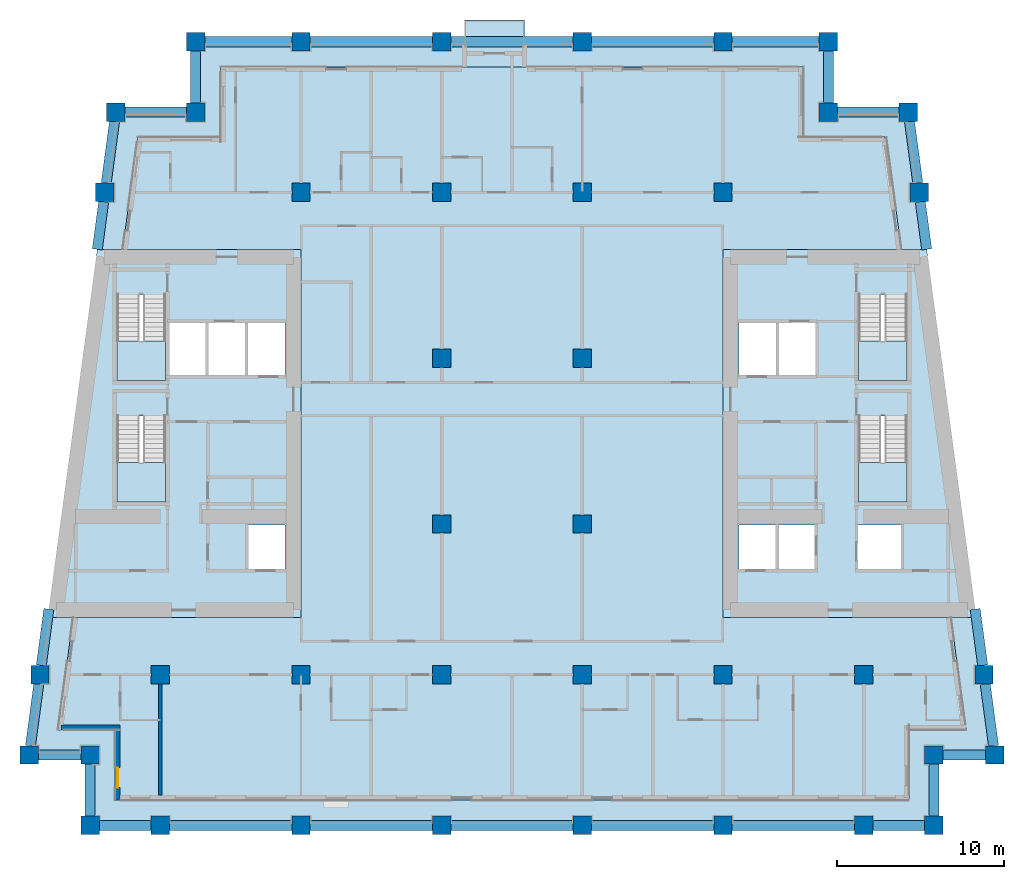
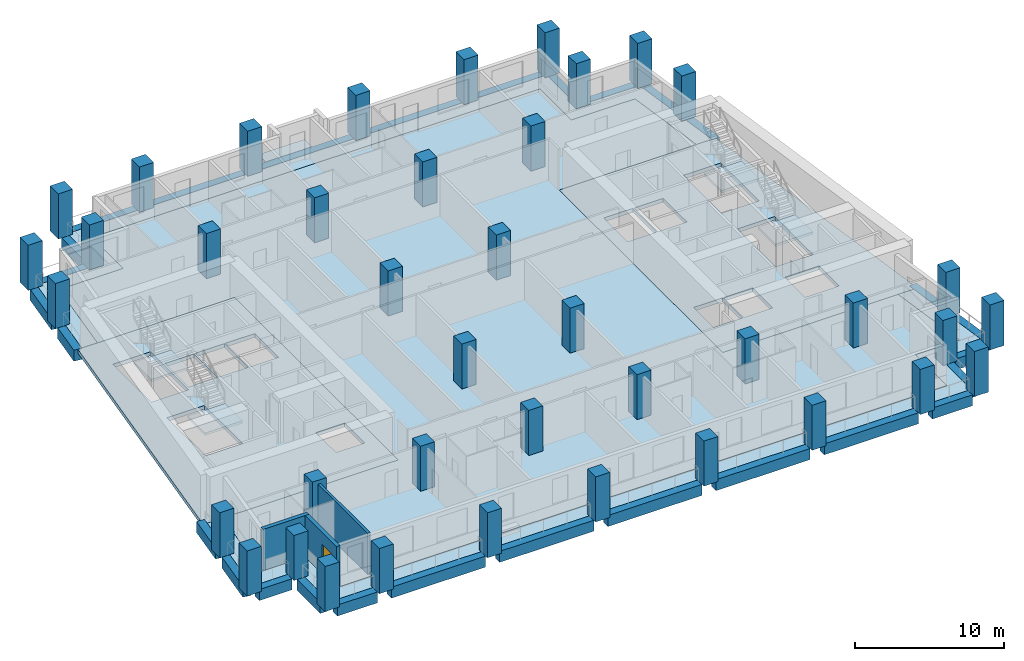
# One storey, part 1 of 12: 40 columns, 28 beams, 10 slabs, 3 walls, 1 door, 1 opening, 4 elements without a shape of their own.
"""IFC4 building model written with IfcOpenShell, lengths in metres."""

from ifc_helpers import new_model, si_unit, direction, frame, frame_2d, origin, origin_2d, place, context, subcontext, project, spatial, polyline, rectangle, outline, extrude, material, layer, layer_set, material_profile, profile_set, type_object, element, fill, aggregate, save


model = new_model("IFC4")

# Units and contexts
model_context = context("Model", 3, precision=1e-05, world=origin(), true_north=direction((0.0, 1.0)))
body_context = subcontext(model_context, "Body", "Model", "MODEL_VIEW")
ifc_project = project(units=[si_unit("LENGTHUNIT", "METRE"), si_unit("AREAUNIT", "SQUARE_METRE"), si_unit("VOLUMEUNIT", "CUBIC_METRE"), si_unit("PLANEANGLEUNIT", "RADIAN"), si_unit("MASSUNIT", "GRAM", prefix="KILO")], contexts=[model_context])

# Site, building, storey
site_placement = place(None, origin())
site = spatial("IfcSite", under=ifc_project, at=site_placement, CompositionType="ELEMENT")
building_placement = place(site_placement, origin())
building = spatial("IfcBuilding", under=site, at=building_placement, Name="Candeia Pilgrim Tower and Theatre", CompositionType="ELEMENT")
storey_placement = place(building_placement, frame((0.0, 0.0, 184.800048828125)))
storey = spatial("IfcBuildingStorey", under=building, at=storey_placement, Name="L44", CompositionType="ELEMENT", Elevation=184.800048828125)

# Columns
ifc_material_1 = material(Name="Concrete C60/75", Category="concrete")
ifc_material_profile_1 = material_profile(ifc_material_1, rectangle(XDim=1.10009765625, YDim=1.10009765625, at=origin_2d()))
ifc_profile_set_1 = profile_set([ifc_material_profile_1], Name="Concrete C60/75")
column_type = type_object("IfcColumnType", Name="RC 1100x1100 C60/75", PredefinedType="COLUMN", material=ifc_profile_set_1)
for number, where, z_axis, x_axis, name in (
    (1, (92.39990234375, 98.0, 0.0), (0.0, 0.0, 1.0), (1.0, 0.0, 0.0), "Column A1"),
    (2, (100.800048828125, 98.0, 0.0), (0.0, 0.0, 1.0), (1.0, 0.0, 0.0), "Column A2"),
    (3, (109.199951171875, 98.0, 0.0), (0.0, 0.0, 1.0), (1.0, 0.0, 0.0), "Column A3"),
    (4, (117.60009765625, 98.0, 0.0), (0.0, 0.0, 1.0), (1.0, 0.0, 0.0), "Column A4"),
    (5, (126.0, 98.0, 0.0), (0.0, 0.0, 1.0), (1.0, 0.0, 0.0), "Column A5"),
    (6, (134.39990234375, 98.0, 0.0), (0.0, 0.0, 1.0), (1.0, 0.0, 0.0), "Column A6"),
    (7, (88.199951171875, 98.0, 0.0), (0.0, 0.0, 1.0), (1.0, 0.0, 0.0), "Column AW"),
    (8, (138.60009765625, 98.0, 0.0), (0.0, 0.0, 1.0), (1.0, 0.0, 0.0), "Column AE"),
    (9, (88.199951171875, 102.199951171875, 0.0), (0.0, 0.0, 1.0), (1.0, 0.0, 0.0), "Column NSW"),
    (10, (138.60009765625, 102.199951171875, 0.0), (0.0, 0.0, 1.0), (1.0, 0.0, 0.0), "Column NSE"),
    (11, (94.5, 140.60009765625, 0.0), (0.0, 0.0, 1.0), (1.0, 0.0, 0.0), "Column NNW"),
    (12, (132.300048828125, 140.60009765625, 0.0), (0.0, 0.0, 1.0), (1.0, 0.0, 0.0), "Column NNE"),
    (13, (84.5654296875, 102.199951171875, 0.0), (0.0, 0.0, 1.0), (1.0, 0.0, 0.0), "Column LSW"),
    (14, (142.234619140625, 102.199951171875, 0.0), (0.0, 0.0, 1.0), (1.0, 0.0, 0.0), "Column LSE"),
    (15, (89.734619140625, 140.60009765625, 0.0), (0.0, 0.0, 1.0), (1.0, 0.0, 0.0), "Column LNW"),
    (16, (137.0654296875, 140.60009765625, 0.0), (0.0, 0.0, 1.0), (1.0, 0.0, 0.0), "Column LNE"),
    (17, (92.39990234375, 107.0, 0.0), (0.0, 0.0, 1.0), (1.0, 0.0, 0.0), "Column B1"),
    (18, (100.800048828125, 107.0, 0.0), (0.0, 0.0, 1.0), (1.0, 0.0, 0.0), "Column B2"),
    (19, (109.199951171875, 107.0, 0.0), (0.0, 0.0, 1.0), (1.0, 0.0, 0.0), "Column B3"),
    (20, (117.60009765625, 107.0, 0.0), (0.0, 0.0, 1.0), (1.0, 0.0, 0.0), "Column B4"),
    (21, (126.0, 107.0, 0.0), (0.0, 0.0, 1.0), (1.0, 0.0, 0.0), "Column B5"),
    (22, (134.39990234375, 107.0, 0.0), (0.0, 0.0, 1.0), (1.0, 0.0, 0.0), "Column B6"),
    (23, (85.21142578125, 107.0, 0.0), (0.0, 0.0, 1.0), (1.0, 0.0, 0.0), "Column BW"),
    (24, (141.58837890625, 107.0, 0.0), (0.0, 0.0, 1.0), (1.0, 0.0, 0.0), "Column BE"),
    (25, (109.199951171875, 116.0, 0.0), (0.0, 0.0, 1.0), (1.0, 0.0, 0.0), "Column C3"),
    (26, (117.60009765625, 116.0, 0.0), (0.0, 0.0, 1.0), (1.0, 0.0, 0.0), "Column C4"),
    (27, (109.199951171875, 125.89990234375, 0.0), (0.0, 0.0, 1.0), (1.0, 0.0, 0.0), "Column D3"),
    (28, (117.60009765625, 125.89990234375, 0.0), (0.0, 0.0, 1.0), (1.0, 0.0, 0.0), "Column D4"),
    (29, (100.800048828125, 135.800048828125, 0.0), (0.0, 0.0, 1.0), (1.0, 0.0, 0.0), "Column E2"),
    (30, (109.199951171875, 135.800048828125, 0.0), (0.0, 0.0, 1.0), (1.0, 0.0, 0.0), "Column E3"),
    (31, (117.60009765625, 135.800048828125, 0.0), (0.0, 0.0, 1.0), (1.0, 0.0, 0.0), "Column E4"),
    (32, (126.0, 135.800048828125, 0.0), (0.0, 0.0, 1.0), (1.0, 0.0, 0.0), "Column E5"),
    (33, (89.08837890625, 135.800048828125, 0.0), (0.0, 0.0, 1.0), (1.0, 0.0, 0.0), "Column EW"),
    (34, (137.71142578125, 135.800048828125, 0.0), (0.0, 0.0, 1.0), (1.0, 0.0, 0.0), "Column EE"),
    (35, (100.800048828125, 144.800048828125, 0.0), (0.0, 0.0, 1.0), (1.0, 0.0, 0.0), "Column F2"),
    (36, (109.199951171875, 144.800048828125, 0.0), (0.0, 0.0, 1.0), (1.0, 0.0, 0.0), "Column F3"),
    (37, (117.60009765625, 144.800048828125, 0.0), (0.0, 0.0, 1.0), (1.0, 0.0, 0.0), "Column F4"),
    (38, (126.0, 144.800048828125, 0.0), (0.0, 0.0, 1.0), (1.0, 0.0, 0.0), "Column F5"),
    (39, (94.5, 144.800048828125, 0.0), (0.0, 0.0, 1.0), (1.0, 0.0, 0.0), "Column FW"),
    (40, (132.300048828125, 144.800048828125, 0.0), (0.0, 0.0, 1.0), (1.0, 0.0, 0.0), "Column FE"),
):
    element("IfcColumn", number, at=place(storey_placement, frame(where, z_axis=z_axis, x_axis=x_axis)), inside=storey, type_object=column_type, Name=name, PredefinedType="COLUMN", context=body_context, shape_type="SweptSolid", body=[
        extrude(rectangle(XDim=1.10009765625, YDim=1.10009765625, at=origin_2d()), origin(), (0.0, 0.0, 1.0), 3.699951171875),
    ])

# Beams
ifc_material_profile_2 = material_profile(ifc_material_1, rectangle(XDim=0.60009765625, YDim=0.89990234375, at=origin_2d()))
ifc_profile_set_2 = profile_set([ifc_material_profile_2], Name="Concrete C60/75")
beam_type = type_object("IfcBeamType", Name="RC 600x900 C60/75", PredefinedType="BEAM", material=ifc_profile_set_2)
beam_1_placement = place(storey_placement, frame((88.75, 98.0, -0.449951171875), z_axis=(1.0, 0.0, 0.0), x_axis=(0.0, 1.0, 0.0)))
element("IfcBeam", 41, at=beam_1_placement, inside=storey, type_object=beam_type, Name="Spandrel beam L44-01", PredefinedType="BEAM", context=body_context, shape_type="SweptSolid", body=[
    extrude(rectangle(XDim=0.60009765625, YDim=0.89990234375, at=origin_2d()), origin(), (0.0, 0.0, 1.0), 3.10009765625),
])
beam_2_placement = place(storey_placement, frame((92.949951171875, 98.0, -0.449951171875), z_axis=(1.0, 0.0, 0.0), x_axis=(0.0, 1.0, 0.0)))
element("IfcBeam", 42, at=beam_2_placement, inside=storey, type_object=beam_type, Name="Spandrel beam L44-02", PredefinedType="BEAM", context=body_context, shape_type="SweptSolid", body=[
    extrude(rectangle(XDim=0.60009765625, YDim=0.89990234375, at=origin_2d()), origin(), (0.0, 0.0, 1.0), 7.300048828125),
])
beam_3_placement = place(storey_placement, frame((101.35009765625, 98.0, -0.449951171875), z_axis=(1.0, 0.0, 0.0), x_axis=(0.0, 1.0, 0.0)))
element("IfcBeam", 43, at=beam_3_placement, inside=storey, type_object=beam_type, Name="Spandrel beam L44-03", PredefinedType="BEAM", context=body_context, shape_type="SweptSolid", body=[
    extrude(rectangle(XDim=0.60009765625, YDim=0.89990234375, at=origin_2d()), origin(), (0.0, 0.0, 1.0), 7.2998046875),
])
for number, where, z_axis, x_axis, name in (
    (44, (109.75, 98.0, -0.449951171875), (1.0, 0.0, 0.0), (0.0, 1.0, 0.0), "Spandrel beam L44-04"),
    (45, (118.14990234375, 98.0, -0.449951171875), (1.0, 0.0, 0.0), (0.0, 1.0, 0.0), "Spandrel beam L44-05"),
    (46, (126.550048828125, 98.0, -0.449951171875), (1.0, 0.0, 0.0), (0.0, 1.0, 0.0), "Spandrel beam L44-06"),
):
    element("IfcBeam", number, at=place(storey_placement, frame(where, z_axis=z_axis, x_axis=x_axis)), inside=storey, type_object=beam_type, Name=name, PredefinedType="BEAM", context=body_context, shape_type="SweptSolid", body=[
        extrude(rectangle(XDim=0.60009765625, YDim=0.89990234375, at=origin_2d()), origin(), (0.0, 0.0, 1.0), 7.300048828125),
    ])
beam_4_placement = place(storey_placement, frame((134.949951171875, 98.0, -0.449951171875), z_axis=(1.0, 0.0, 0.0), x_axis=(0.0, 1.0, 0.0)))
element("IfcBeam", 47, at=beam_4_placement, inside=storey, type_object=beam_type, Name="Spandrel beam L44-07", PredefinedType="BEAM", context=body_context, shape_type="SweptSolid", body=[
    extrude(rectangle(XDim=0.60009765625, YDim=0.89990234375, at=origin_2d()), origin(), (0.0, 0.0, 1.0), 3.10009765625),
])
beam_5_placement = place(storey_placement, frame((138.60009765625, 98.550048828125, -0.449951171875), z_axis=(0.0, 1.0, 0.0), x_axis=(-1.0, 0.0, 0.0)))
element("IfcBeam", 48, at=beam_5_placement, inside=storey, type_object=beam_type, Name="Spandrel beam L44-08", PredefinedType="BEAM", context=body_context, shape_type="SweptSolid", body=[
    extrude(rectangle(XDim=0.60009765625, YDim=0.89990234375, at=origin_2d()), origin(), (0.0, 0.0, 1.0), 3.099853515625),
])
beam_6_placement = place(storey_placement, frame((139.14990234375, 102.199951171875, -0.449951171875), z_axis=(1.0, 0.0, 0.0), x_axis=(0.0, 1.0, 0.0)))
element("IfcBeam", 49, at=beam_6_placement, inside=storey, type_object=beam_type, Name="Spandrel beam L44-09", PredefinedType="BEAM", context=body_context, shape_type="SweptSolid", body=[
    extrude(rectangle(XDim=0.60009765625, YDim=0.89990234375, at=origin_2d()), origin(), (0.0, 0.0, 1.0), 2.53466796875),
])
beam_7_placement = place(storey_placement, frame((142.16064453125, 102.75, -0.449951171875), z_axis=(-0.133405836075, 0.991061492997, 0.0), x_axis=(-0.991061492997, -0.133405836075, 0.0)))
element("IfcBeam", 50, at=beam_7_placement, inside=storey, type_object=beam_type, Name="Spandrel beam L44-10", PredefinedType="BEAM", context=body_context, shape_type="SweptSolid", body=[
    extrude(rectangle(XDim=0.60009765625, YDim=0.89990234375, at=origin_2d()), origin(), (0.0, 0.0, 1.0), 3.7333984375),
])
beam_8_placement = place(storey_placement, frame((141.514404296875, 107.550048828125, -0.449951171875), z_axis=(-0.133432414187, 0.99105791498, 0.0), x_axis=(-0.99105791498, -0.133432414187, 0.0)))
element("IfcBeam", 51, at=beam_8_placement, inside=storey, type_object=beam_type, Name="Spandrel beam L44-11", PredefinedType="BEAM", context=body_context, shape_type="SweptSolid", body=[
    extrude(rectangle(XDim=0.60009765625, YDim=0.89990234375, at=origin_2d()), origin(), (0.0, 0.0, 1.0), 3.390380859375),
])
beam_9_placement = place(storey_placement, frame((138.169189453125, 132.39990234375, -0.449951171875), z_axis=(-0.133370319951, 0.99106627314, 0.0), x_axis=(-0.99106627314, -0.133370319951, 0.0)))
element("IfcBeam", 52, at=beam_9_placement, inside=storey, type_object=beam_type, Name="Spandrel beam L44-12", PredefinedType="BEAM", context=body_context, shape_type="SweptSolid", body=[
    extrude(rectangle(XDim=0.60009765625, YDim=0.89990234375, at=origin_2d()), origin(), (0.0, 0.0, 1.0), 2.875732421875),
])
beam_10_placement = place(storey_placement, frame((137.637451171875, 136.35009765625, -0.449951171875), z_axis=(-0.133405836075, 0.991061492997, 0.0), x_axis=(-0.991061492997, -0.133405836075, 0.0)))
element("IfcBeam", 53, at=beam_10_placement, inside=storey, type_object=beam_type, Name="Spandrel beam L44-13", PredefinedType="BEAM", context=body_context, shape_type="SweptSolid", body=[
    extrude(rectangle(XDim=0.60009765625, YDim=0.89990234375, at=origin_2d()), origin(), (0.0, 0.0, 1.0), 3.7333984375),
])
beam_11_placement = place(storey_placement, frame((136.515380859375, 140.60009765625, -0.449951171875), z_axis=(-1.0, 0.0, 0.0), x_axis=(0.0, -1.0, 0.0)))
element("IfcBeam", 54, at=beam_11_placement, inside=storey, type_object=beam_type, Name="Spandrel beam L44-14", PredefinedType="BEAM", context=body_context, shape_type="SweptSolid", body=[
    extrude(rectangle(XDim=0.60009765625, YDim=0.89990234375, at=origin_2d()), origin(), (0.0, 0.0, 1.0), 3.665283203125),
])
beam_12_placement = place(storey_placement, frame((132.300048828125, 141.14990234375, -0.449951171875), z_axis=(0.0, 1.0, 0.0), x_axis=(-1.0, 0.0, 0.0)))
element("IfcBeam", 55, at=beam_12_placement, inside=storey, type_object=beam_type, Name="Spandrel beam L44-15", PredefinedType="BEAM", context=body_context, shape_type="SweptSolid", body=[
    extrude(rectangle(XDim=0.60009765625, YDim=0.89990234375, at=origin_2d()), origin(), (0.0, 0.0, 1.0), 3.10009765625),
])
beam_13_placement = place(storey_placement, frame((131.75, 144.800048828125, -0.449951171875), z_axis=(-1.0, 0.0, 0.0), x_axis=(0.0, -1.0, 0.0)))
element("IfcBeam", 56, at=beam_13_placement, inside=storey, type_object=beam_type, Name="Spandrel beam L44-16", PredefinedType="BEAM", context=body_context, shape_type="SweptSolid", body=[
    extrude(rectangle(XDim=0.60009765625, YDim=0.89990234375, at=origin_2d()), origin(), (0.0, 0.0, 1.0), 5.199951171875),
])
for number, where, z_axis, x_axis, name in (
    (57, (125.449951171875, 144.800048828125, -0.449951171875), (-1.0, 0.0, 0.0), (0.0, -1.0, 0.0), "Spandrel beam L44-17"),
    (58, (117.050048828125, 144.800048828125, -0.449951171875), (-1.0, 0.0, 0.0), (0.0, -1.0, 0.0), "Spandrel beam L44-18"),
):
    element("IfcBeam", number, at=place(storey_placement, frame(where, z_axis=z_axis, x_axis=x_axis)), inside=storey, type_object=beam_type, Name=name, PredefinedType="BEAM", context=body_context, shape_type="SweptSolid", body=[
        extrude(rectangle(XDim=0.60009765625, YDim=0.89990234375, at=origin_2d()), origin(), (0.0, 0.0, 1.0), 7.300048828125),
    ])
beam_14_placement = place(storey_placement, frame((108.64990234375, 144.800048828125, -0.449951171875), z_axis=(-1.0, 0.0, 0.0), x_axis=(0.0, -1.0, 0.0)))
element("IfcBeam", 59, at=beam_14_placement, inside=storey, type_object=beam_type, Name="Spandrel beam L44-19", PredefinedType="BEAM", context=body_context, shape_type="SweptSolid", body=[
    extrude(rectangle(XDim=0.60009765625, YDim=0.89990234375, at=origin_2d()), origin(), (0.0, 0.0, 1.0), 7.2998046875),
])
beam_15_placement = place(storey_placement, frame((100.25, 144.800048828125, -0.449951171875), z_axis=(-1.0, 0.0, 0.0), x_axis=(0.0, -1.0, 0.0)))
element("IfcBeam", 60, at=beam_15_placement, inside=storey, type_object=beam_type, Name="Spandrel beam L44-20", PredefinedType="BEAM", context=body_context, shape_type="SweptSolid", body=[
    extrude(rectangle(XDim=0.60009765625, YDim=0.89990234375, at=origin_2d()), origin(), (0.0, 0.0, 1.0), 5.199951171875),
])
beam_16_placement = place(storey_placement, frame((94.5, 144.25, -0.449951171875), z_axis=(0.0, -1.0, 0.0), x_axis=(1.0, 0.0, 0.0)))
element("IfcBeam", 61, at=beam_16_placement, inside=storey, type_object=beam_type, Name="Spandrel beam L44-21", PredefinedType="BEAM", context=body_context, shape_type="SweptSolid", body=[
    extrude(rectangle(XDim=0.60009765625, YDim=0.89990234375, at=origin_2d()), origin(), (0.0, 0.0, 1.0), 3.10009765625),
])
beam_17_placement = place(storey_placement, frame((93.949951171875, 140.60009765625, -0.449951171875), z_axis=(-1.0, 0.0, 0.0), x_axis=(0.0, -1.0, 0.0)))
element("IfcBeam", 62, at=beam_17_placement, inside=storey, type_object=beam_type, Name="Spandrel beam L44-22", PredefinedType="BEAM", context=body_context, shape_type="SweptSolid", body=[
    extrude(rectangle(XDim=0.60009765625, YDim=0.89990234375, at=origin_2d()), origin(), (0.0, 0.0, 1.0), 3.665283203125),
])
beam_18_placement = place(storey_placement, frame((89.66064453125, 140.050048828125, -0.449951171875), z_axis=(-0.133405836075, -0.991061492997, 0.0), x_axis=(0.991061492997, -0.133405836075, 0.0)))
element("IfcBeam", 63, at=beam_18_placement, inside=storey, type_object=beam_type, Name="Spandrel beam L44-23", PredefinedType="BEAM", context=body_context, shape_type="SweptSolid", body=[
    extrude(rectangle(XDim=0.60009765625, YDim=0.89990234375, at=origin_2d()), origin(), (0.0, 0.0, 1.0), 3.7333984375),
])
beam_19_placement = place(storey_placement, frame((89.014404296875, 135.25, -0.449951171875), z_axis=(-0.133370319951, -0.99106627314, 0.0), x_axis=(0.99106627314, -0.133370319951, 0.0)))
element("IfcBeam", 64, at=beam_19_placement, inside=storey, type_object=beam_type, Name="Spandrel beam L44-24", PredefinedType="BEAM", context=body_context, shape_type="SweptSolid", body=[
    extrude(rectangle(XDim=0.60009765625, YDim=0.89990234375, at=origin_2d()), origin(), (0.0, 0.0, 1.0), 2.875732421875),
])
beam_20_placement = place(storey_placement, frame((85.73779296875, 110.91015625, -0.449951171875), z_axis=(-0.133361686371, -0.991067434945, 0.0), x_axis=(0.991067434945, -0.133361686371, 0.0)))
element("IfcBeam", 65, at=beam_20_placement, inside=storey, type_object=beam_type, Name="Spandrel beam L44-25", PredefinedType="BEAM", context=body_context, shape_type="SweptSolid", body=[
    extrude(rectangle(XDim=0.60009765625, YDim=0.89990234375, at=origin_2d()), origin(), (0.0, 0.0, 1.0), 3.390380859375),
])
beam_21_placement = place(storey_placement, frame((85.137451171875, 106.449951171875, -0.449951171875), z_axis=(-0.133405836075, -0.991061492997, 0.0), x_axis=(0.991061492997, -0.133405836075, 0.0)))
element("IfcBeam", 66, at=beam_21_placement, inside=storey, type_object=beam_type, Name="Spandrel beam L44-26", PredefinedType="BEAM", context=body_context, shape_type="SweptSolid", body=[
    extrude(rectangle(XDim=0.60009765625, YDim=0.89990234375, at=origin_2d()), origin(), (0.0, 0.0, 1.0), 3.7333984375),
])
beam_22_placement = place(storey_placement, frame((85.115478515625, 102.199951171875, -0.449951171875), z_axis=(1.0, 0.0, 0.0), x_axis=(0.0, 1.0, 0.0)))
element("IfcBeam", 67, at=beam_22_placement, inside=storey, type_object=beam_type, Name="Spandrel beam L44-27", PredefinedType="BEAM", context=body_context, shape_type="SweptSolid", body=[
    extrude(rectangle(XDim=0.60009765625, YDim=0.89990234375, at=origin_2d()), origin(), (0.0, 0.0, 1.0), 2.534423828125),
])
beam_23_placement = place(storey_placement, frame((88.199951171875, 101.64990234375, -0.449951171875), z_axis=(0.0, -1.0, 0.0), x_axis=(1.0, 0.0, 0.0)))
element("IfcBeam", 68, at=beam_23_placement, inside=storey, type_object=beam_type, Name="Spandrel beam L44-28", PredefinedType="BEAM", context=body_context, shape_type="SweptSolid", body=[
    extrude(rectangle(XDim=0.60009765625, YDim=0.89990234375, at=origin_2d()), origin(), (0.0, 0.0, 1.0), 3.099853515625),
])

# Slabs
ifc_material_2 = material(Name="Concrete C40/50", Category="concrete")
ifc_layer_1 = layer(ifc_material_2, 0.25)
ifc_layer_set_1 = layer_set([ifc_layer_1], Name="BK1 balcony slab 250")
slab_type_1 = type_object("IfcSlabType", Name="BK1 balcony slab 250", PredefinedType="USERDEFINED", material=ifc_layer_set_1)
slab_1_placement = place(storey_placement, frame((0.0, 0.0, -0.25)))
element("IfcSlab", 69, at=slab_1_placement, inside=storey, type_object=slab_type_1, Name="Balcony L44", ObjectType="BALCONY", PredefinedType="USERDEFINED", context=body_context, shape_type="SweptSolid", body=[
    extrude(outline(polyline([(110.550048828125, 144.5), (114.14990234375, 144.5), (114.14990234375, 146.10009765625), (110.550048828125, 146.10009765625), (110.550048828125, 144.5)])), origin(), (0.0, 0.0, 1.0), 0.25),
])
ifc_layer_2 = layer(ifc_material_1, 0.320068359375)
ifc_layer_set_2 = layer_set([ifc_layer_2], Name="FS-CORE 320 core floor")
slab_type_2 = type_object("IfcSlabType", Name="FS-CORE 320 core floor", PredefinedType="FLOOR", material=ifc_layer_set_2)
slab_2_placement = place(storey_placement, frame((0.0, 0.0, -0.320068359375)))
element("IfcSlab", 70, at=slab_2_placement, inside=storey, type_object=slab_type_2, Name="Core floor W L44", PredefinedType="FLOOR", context=body_context, shape_type="SweptSolid", body=[
    extrude(outline(polyline([(100.800048828125, 132.39990234375), (100.800048828125, 110.39990234375), (85.669189453125, 110.39990234375), (88.630859375, 132.39990234375), (100.800048828125, 132.39990234375)]), holes=[polyline([(97.59228515625, 128.050048828125), (97.59228515625, 124.85009765625), (99.85009765625, 124.85009765625), (99.85009765625, 128.050048828125), (97.59228515625, 128.050048828125)]), polyline([(97.613525390625, 113.25), (99.85009765625, 113.25), (99.85009765625, 115.949951171875), (97.613525390625, 115.949951171875), (97.613525390625, 113.25)]), polyline([(95.234619140625, 124.85009765625), (97.4921875, 124.85009765625), (97.4921875, 128.050048828125), (95.234619140625, 128.050048828125), (95.234619140625, 124.85009765625)]), polyline([(92.876953125, 128.050048828125), (92.876953125, 124.85009765625), (95.134765625, 124.85009765625), (95.134765625, 128.050048828125), (92.876953125, 128.050048828125)]), polyline([(89.802001953125, 122.455078125), (89.802001953125, 117.324951171875), (92.701904296875, 117.324951171875), (92.701904296875, 122.455078125), (89.802001953125, 122.455078125)]), polyline([(89.802001953125, 129.705078125), (89.802001953125, 124.574951171875), (92.701904296875, 124.574951171875), (92.701904296875, 129.705078125), (89.802001953125, 129.705078125)])]), origin(), (0.0, 0.0, 1.0), 0.320068359375),
])
slab_3_placement = place(storey_placement, frame((0.0, 0.0, -0.320068359375)))
element("IfcSlab", 71, at=slab_3_placement, inside=storey, type_object=slab_type_2, Name="Core floor E L44", PredefinedType="FLOOR", context=body_context, shape_type="SweptSolid", body=[
    extrude(outline(polyline([(138.169189453125, 132.39990234375), (141.130859375, 110.39990234375), (126.0, 110.39990234375), (126.0, 132.39990234375), (138.169189453125, 132.39990234375)]), holes=[polyline([(134.097900390625, 122.455078125), (134.097900390625, 117.324951171875), (136.998046875, 117.324951171875), (136.998046875, 122.455078125), (134.097900390625, 122.455078125)]), polyline([(134.097900390625, 129.705078125), (134.097900390625, 124.574951171875), (136.998046875, 124.574951171875), (136.998046875, 129.705078125), (134.097900390625, 129.705078125)]), polyline([(136.672607421875, 115.949951171875), (134.02294921875, 115.949951171875), (134.02294921875, 113.25), (136.672607421875, 113.25), (136.672607421875, 115.949951171875)]), polyline([(131.565185546875, 128.050048828125), (129.3076171875, 128.050048828125), (129.3076171875, 124.85009765625), (131.565185546875, 124.85009765625), (131.565185546875, 128.050048828125)]), polyline([(131.52294921875, 115.949951171875), (129.28662109375, 115.949951171875), (129.28662109375, 113.25), (131.52294921875, 113.25), (131.52294921875, 115.949951171875)]), polyline([(129.207763671875, 128.050048828125), (126.949951171875, 128.050048828125), (126.949951171875, 124.85009765625), (129.207763671875, 124.85009765625), (129.207763671875, 128.050048828125)]), polyline([(126.949951171875, 115.949951171875), (126.949951171875, 113.25), (129.1865234375, 113.25), (129.1865234375, 115.949951171875), (126.949951171875, 115.949951171875)])]), origin(), (0.0, 0.0, 1.0), 0.320068359375),
])
ifc_material_3 = material(Name="Concrete C50/60", Category="concrete")
ifc_layer_3 = layer(ifc_material_3, 0.320068359375)
ifc_layer_set_3 = layer_set([ifc_layer_3], Name="Floor slab 320 C50/60")
slab_type_3 = type_object("IfcSlabType", Name="Floor slab 320 C50/60", PredefinedType="FLOOR", material=ifc_layer_set_3)
slab_4_placement = place(storey_placement, frame((0.0, 0.0, -0.320068359375)))
element("IfcSlab", 72, at=slab_4_placement, inside=storey, type_object=slab_type_3, Name="Floor slab L44", PredefinedType="FLOOR", context=body_context, shape_type="SweptSolid", body=[
    extrude(outline(polyline([(96.0, 139.10009765625), (96.0, 143.300048828125), (130.800048828125, 143.300048828125), (130.800048828125, 139.10009765625), (135.753662109375, 139.10009765625), (136.65576171875, 132.39990234375), (126.0, 132.39990234375), (126.0, 110.39990234375), (139.6171875, 110.39990234375), (140.51904296875, 103.699951171875), (137.10009765625, 103.699951171875), (137.10009765625, 99.5), (89.699951171875, 99.5), (89.699951171875, 103.699951171875), (86.28076171875, 103.699951171875), (87.182861328125, 110.39990234375), (100.800048828125, 110.39990234375), (100.800048828125, 132.39990234375), (90.144287109375, 132.39990234375), (91.046142578125, 139.10009765625), (96.0, 139.10009765625)])), origin(), (0.0, 0.0, 1.0), 0.320068359375),
])
ifc_layer_4 = layer(ifc_material_2, 0.25)
ifc_layer_set_4 = layer_set([ifc_layer_4], Name="Loggia slab 250 C40/50")
slab_type_4 = type_object("IfcSlabType", Name="Loggia slab 250 C40/50", PredefinedType="FLOOR", material=ifc_layer_set_4)
slab_5_placement = place(storey_placement, frame((0.0, 0.0, -0.25)))
element("IfcSlab", 73, at=slab_5_placement, inside=storey, type_object=slab_type_4, Name="Loggia slab L44 1", PredefinedType="FLOOR", context=body_context, shape_type="SweptSolid", body=[
    extrude(outline(polyline([(87.182861328125, 110.39990234375), (86.28076171875, 103.699951171875), (89.699951171875, 103.699951171875), (89.699951171875, 99.5), (137.10009765625, 99.5), (137.10009765625, 103.699951171875), (140.51904296875, 103.699951171875), (139.6171875, 110.39990234375), (140.828125, 110.39990234375), (141.8916015625, 102.5), (138.300048828125, 102.5), (138.300048828125, 98.300048828125), (88.5, 98.300048828125), (88.5, 102.5), (84.908447265625, 102.5), (85.971923828125, 110.39990234375), (87.182861328125, 110.39990234375)])), origin(), (0.0, 0.0, 1.0), 0.25),
])
slab_6_placement = place(storey_placement, frame((0.0, 0.0, -0.25)))
element("IfcSlab", 74, at=slab_6_placement, inside=storey, type_object=slab_type_4, Name="Loggia slab L44 2", PredefinedType="FLOOR", context=body_context, shape_type="SweptSolid", body=[
    extrude(outline(polyline([(136.65576171875, 132.39990234375), (135.753662109375, 139.10009765625), (130.800048828125, 139.10009765625), (130.800048828125, 143.300048828125), (96.0, 143.300048828125), (96.0, 139.10009765625), (91.046142578125, 139.10009765625), (90.144287109375, 132.39990234375), (88.93359375, 132.39990234375), (89.996826171875, 140.300048828125), (94.800048828125, 140.300048828125), (94.800048828125, 144.5), (132.0, 144.5), (132.0, 140.300048828125), (136.802978515625, 140.300048828125), (137.866455078125, 132.39990234375), (136.65576171875, 132.39990234375)])), origin(), (0.0, 0.0, 1.0), 0.25),
])

# Stair, slab
stair_type = type_object("IfcStairType", Name="ST-TWR dog-leg escape stair", PredefinedType="HALF_TURN_STAIR", material=ifc_material_2)
stair_1_placement = place(storey_placement, origin())
stair_1 = element("IfcStair", 75, at=stair_1_placement, inside=storey, type_object=stair_type, Name="L44 Escape stair ST1", PredefinedType="HALF_TURN_STAIR")
ifc_layer_5 = layer(ifc_material_2, 0.199951171875)
ifc_layer_set_5 = layer_set([ifc_layer_5], Name="SL-LANDING stair landing")
slab_type_5 = type_object("IfcSlabType", Name="SL-LANDING stair landing", PredefinedType="LANDING", material=ifc_layer_set_5)
slab_7_placement = place(storey_placement, frame((0.0, 0.0, 1.64990234375)))
slab_7 = element("IfcSlab", 76, at=slab_7_placement, type_object=slab_type_5, Name="ST1 landing 1", PredefinedType="LANDING", context=body_context, shape_type="SweptSolid", body=[
    extrude(outline(polyline([(89.802001953125, 119.675048828125), (89.802001953125, 117.324951171875), (92.701904296875, 117.324951171875), (92.701904296875, 119.675048828125), (89.802001953125, 119.675048828125)])), origin(), (0.0, 0.0, 1.0), 0.199951171875),
])
aggregate(stair_1, [slab_7])

stair_2_placement = place(storey_placement, origin())
stair_2 = element("IfcStair", 77, at=stair_2_placement, inside=storey, type_object=stair_type, Name="L44 Escape stair ST2", PredefinedType="HALF_TURN_STAIR")
slab_8_placement = place(storey_placement, frame((0.0, 0.0, 1.64990234375)))
slab_8 = element("IfcSlab", 78, at=slab_8_placement, type_object=slab_type_5, Name="ST2 landing 1", PredefinedType="LANDING", context=body_context, shape_type="SweptSolid", body=[
    extrude(outline(polyline([(89.802001953125, 126.925048828125), (89.802001953125, 124.574951171875), (92.701904296875, 124.574951171875), (92.701904296875, 126.925048828125), (89.802001953125, 126.925048828125)])), origin(), (0.0, 0.0, 1.0), 0.199951171875),
])
aggregate(stair_2, [slab_8])

stair_3_placement = place(storey_placement, origin())
stair_3 = element("IfcStair", 79, at=stair_3_placement, inside=storey, type_object=stair_type, Name="L44 Escape stair ST3", PredefinedType="HALF_TURN_STAIR")
slab_9_placement = place(storey_placement, frame((0.0, 0.0, 1.64990234375)))
slab_9 = element("IfcSlab", 80, at=slab_9_placement, type_object=slab_type_5, Name="ST3 landing 1", PredefinedType="LANDING", context=body_context, shape_type="SweptSolid", body=[
    extrude(outline(polyline([(134.097900390625, 119.675048828125), (134.097900390625, 117.324951171875), (136.998046875, 117.324951171875), (136.998046875, 119.675048828125), (134.097900390625, 119.675048828125)])), origin(), (0.0, 0.0, 1.0), 0.199951171875),
])
aggregate(stair_3, [slab_9])

stair_4_placement = place(storey_placement, origin())
stair_4 = element("IfcStair", 81, at=stair_4_placement, inside=storey, type_object=stair_type, Name="L44 Escape stair ST4", PredefinedType="HALF_TURN_STAIR")
slab_10_placement = place(storey_placement, frame((0.0, 0.0, 1.64990234375)))
slab_10 = element("IfcSlab", 82, at=slab_10_placement, type_object=slab_type_5, Name="ST4 landing 1", PredefinedType="LANDING", context=body_context, shape_type="SweptSolid", body=[
    extrude(outline(polyline([(134.097900390625, 126.925048828125), (134.097900390625, 124.574951171875), (136.998046875, 124.574951171875), (136.998046875, 126.925048828125), (134.097900390625, 126.925048828125)])), origin(), (0.0, 0.0, 1.0), 0.199951171875),
])
aggregate(stair_4, [slab_10])

# Wall
ifc_material_4 = material(Name="Ceramic block masonry", Category="masonry")
ifc_layer_6 = layer(ifc_material_4, 0.300048828125)
ifc_layer_set_6 = layer_set([ifc_layer_6], Name="EW1 glazing-line wall 300")
wall_type_1 = type_object("IfcWallType", Name="EW1 glazing-line wall 300", PredefinedType="SOLIDWALL", material=ifc_layer_set_6)
wall_1_placement = place(storey_placement, frame((86.452392578125, 103.85009765625, 0.0), z_axis=(0.0, 0.0, 1.0), x_axis=(1.0, 0.0, 0.0)))
element("IfcWall", 83, at=wall_1_placement, inside=storey, type_object=wall_type_1, Name="External wall L44-10.0", PredefinedType="SOLIDWALL", context=body_context, shape_type="SweptSolid", body=[
    extrude(rectangle(XDim=3.547607421875, YDim=0.300048828125, at=frame_2d((1.77392578125, 0.0))), origin(), (0.0, 0.0, 1.0), 3.3798828125),
])

# Wall, opening, door
wall_2_placement = place(storey_placement, frame((89.85009765625, 103.85009765625, 0.0), z_axis=(0.0, 0.0, 1.0), x_axis=(0.0, -1.0, 0.0)))
wall_2 = element("IfcWall", 84, at=wall_2_placement, inside=storey, type_object=wall_type_1, Name="External wall L44-11.0", PredefinedType="SOLIDWALL", context=body_context, shape_type="SweptSolid", body=[
    extrude(rectangle(XDim=4.35009765625, YDim=0.300048828125, at=frame_2d((2.175048828125, 0.0))), origin(), (0.0, 0.0, 1.0), 3.3798828125),
])
opening_placement = place(wall_2_placement, frame((2.39990234375, 0.0, 0.0)))
opening = element("IfcOpeningElement", 85, at=opening_placement, cuts=wall_2, Name="Opening L44-ED429", PredefinedType="OPENING", context=body_context, shape_type="SweptSolid", body=[
    extrude(rectangle(XDim=1.199951171875, YDim=2.39990234375, at=frame_2d((0.60009765625, 1.199951171875))), frame((0.0, 0.16015625, 0.0), z_axis=(0.0, -1.0, 0.0), x_axis=(1.0, 0.0, 0.0)), (0.0, 0.0, 1.0), 0.320068359375),
])
ifc_material_5 = material(Name="Aluminium framed glazed door", Category="aluminium")
door_type = type_object("IfcDoorType", Name="Loggia door 1200x2400", OperationType="DOUBLE_DOOR_SINGLE_SWING", PredefinedType="DOOR", material=ifc_material_5)
door_placement = place(opening_placement, origin())
door = element("IfcDoor", 86, at=door_placement, inside=storey, type_object=door_type, Name="Loggia door L44-ED429", OperationType="DOUBLE_DOOR_SINGLE_SWING", OverallHeight=2.39990234375, OverallWidth=1.199951171875, PredefinedType="DOOR", context=body_context, shape_type="SweptSolid", body=[
    extrude(rectangle(XDim=1.199951171875, YDim=2.39990234375, at=frame_2d((0.60009765625, 1.199951171875))), frame((0.0, 0.02490234375, 0.0), z_axis=(0.0, -1.0, 0.0), x_axis=(1.0, 0.0, 0.0)), (0.0, 0.0, 1.0), 0.050048828125),
])
fill(opening, door)

# Wall
ifc_material_6 = material(Name="Gypsum board partition on steel studs", Category="steel")
ifc_layer_7 = layer(ifc_material_6, 0.199951171875)
ifc_layer_set_7 = layer_set([ifc_layer_7], Name="PW-200 party wall")
wall_type_2 = type_object("IfcWallType", Name="PW-200 party wall", PredefinedType="PARTITIONING", material=ifc_layer_set_7)
wall_3_placement = place(storey_placement, frame((92.39990234375, 99.7900390625, 0.0), z_axis=(0.0, 0.0, 1.0), x_axis=(0.0, 1.0, 0.0)))
element("IfcWall", 87, at=wall_3_placement, inside=storey, type_object=wall_type_2, Name="Party wall L44-052", PredefinedType="PARTITIONING", context=body_context, shape_type="SweptSolid", body=[
    extrude(rectangle(XDim=7.135009765625, YDim=0.199951171875, at=frame_2d((3.5673828125, 0.0))), origin(), (0.0, 0.0, 1.0), 3.3798828125),
])

save(model, "model.ifc")
